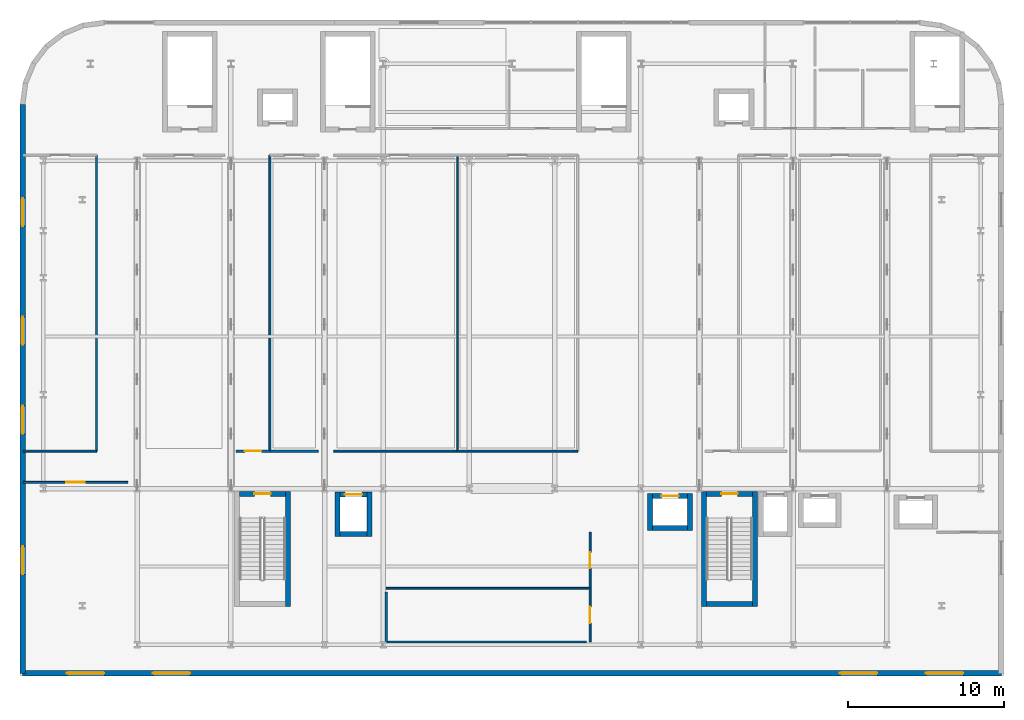
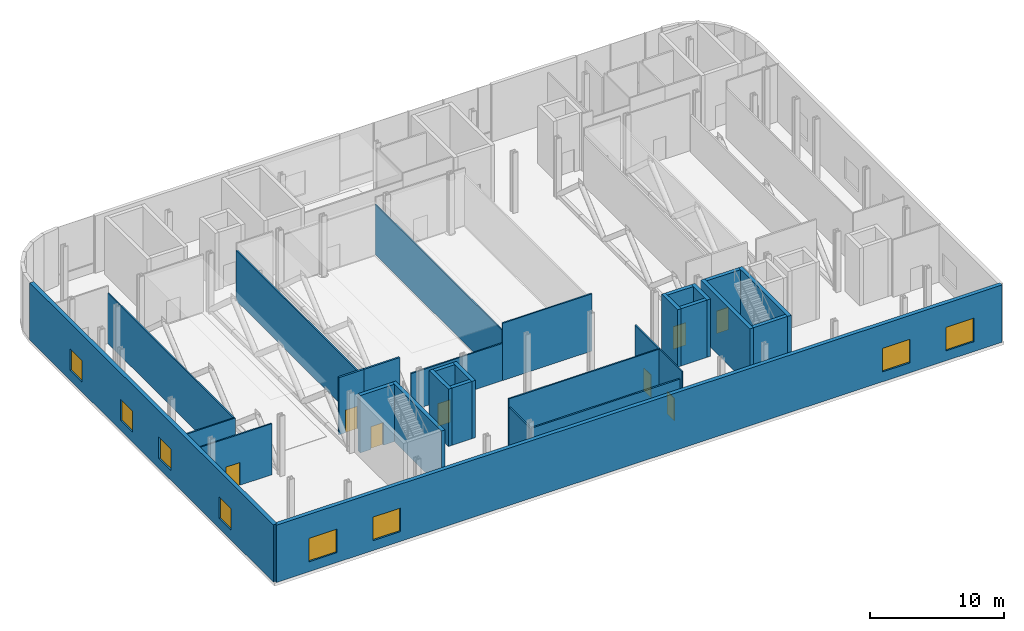
# One storey, part 11 of 17: 30 walls, 8 doors, 8 windows, 16 openings.
"""IFC4 building model written with IfcOpenShell, lengths in metres."""

from ifc_helpers import new_model, si_unit, direction, frame, frame_2d, origin, place, context, subcontext, project, spatial, rectangle, extrude, material, layer, layer_set, type_object, element, fill, save


model = new_model("IFC4")

# Units and contexts
model_context = context("Model", 3, precision=1e-05, world=origin(), true_north=direction((0.0, 1.0)))
body_context = subcontext(model_context, "Body", "Model", "MODEL_VIEW")
ifc_project = project(units=[si_unit("LENGTHUNIT", "METRE"), si_unit("AREAUNIT", "SQUARE_METRE"), si_unit("VOLUMEUNIT", "CUBIC_METRE"), si_unit("PLANEANGLEUNIT", "RADIAN"), si_unit("MASSUNIT", "GRAM", prefix="KILO")], contexts=[model_context])

# Site, building, storey
site_placement = place(None, origin())
site = spatial("IfcSite", under=ifc_project, at=site_placement, CompositionType="ELEMENT")
building_placement = place(site_placement, origin())
building = spatial("IfcBuilding", under=site, at=building_placement, Name="Brevholm Reach", CompositionType="ELEMENT")
storey_placement = place(building_placement, frame((0.0, 0.0, 22.5)))
storey = spatial("IfcBuildingStorey", under=building, at=storey_placement, Name="L05", CompositionType="ELEMENT", Elevation=22.5)

# Wall
ifc_material_1 = material(Name="Concrete C60/75", Category="concrete")
ifc_layer_1 = layer(ifc_material_1, 0.320068359375)
ifc_layer_set_1 = layer_set([ifc_layer_1], Name="Concrete C60/75")
wall_type_1 = type_object("IfcWallType", Name="WAL-COR-320", PredefinedType="SHEAR", material=ifc_layer_set_1)
wall_1_placement = place(storey_placement, frame((15.659912109375, 2.4599609375, 0.0), z_axis=(0.0, 0.0, 1.0), x_axis=(0.0, 1.0, 0.0)))
element("IfcWall", 1, at=wall_1_placement, inside=storey, type_object=wall_type_1, Name="L05 Escape Stair ST-1 Core Wall E", PredefinedType="SHEAR", context=body_context, shape_type="SweptSolid", body=[
    extrude(rectangle(XDim=7.360107421875, YDim=0.320068359375, at=frame_2d((3.68017578125, 0.0))), origin(), (0.0, 0.0, 1.0), 5.22998046875),
])

# Wall, opening, door
wall_2_placement = place(storey_placement, frame((15.5, 9.659912109375, 0.0), z_axis=(0.0, 0.0, 1.0), x_axis=(-1.0, 0.0, 0.0)))
wall_2 = element("IfcWall", 2, at=wall_2_placement, inside=storey, type_object=wall_type_1, Name="L05 Escape Stair ST-1 Core Wall N", PredefinedType="SHEAR", context=body_context, shape_type="SweptSolid", body=[
    extrude(rectangle(XDim=2.949951171875, YDim=0.320068359375, at=frame_2d((1.47509765625, 0.0))), origin(), (0.0, 0.0, 1.0), 5.22998046875),
])
opening_1_placement = place(wall_2_placement, frame((0.949951171875, 0.0, 0.0)))
opening_1 = element("IfcOpeningElement", 3, at=opening_1_placement, cuts=wall_2, Name="Opening SD-ST-1", PredefinedType="OPENING", context=body_context, shape_type="SweptSolid", body=[
    extrude(rectangle(XDim=1.050048828125, YDim=2.06005859375, at=frame_2d((0.52490234375, 1.030029296875))), frame((0.0, 0.169921875, 0.0), z_axis=(0.0, -1.0, 0.0), x_axis=(1.0, 0.0, 0.0)), (0.0, 0.0, 1.0), 0.340087890625),
])
ifc_material_2 = material(Name="Hardwood-Lipped Steel-Core Fire and Smoke Door", Category="steel")
door_type_1 = type_object("IfcDoorType", Name="DOR-INT-FD60S", OperationType="NOTDEFINED", PredefinedType="DOOR", material=ifc_material_2)
door_1_placement = place(opening_1_placement, origin())
door_1 = element("IfcDoor", 4, at=door_1_placement, inside=storey, type_object=door_type_1, Name="L05 Protected Stair ST-1 Lobby Door", OperationType="SINGLE_SWING_LEFT", OverallHeight=2.06005859375, OverallWidth=1.050048828125, PredefinedType="DOOR", context=body_context, shape_type="SweptSolid", body=[
    extrude(rectangle(XDim=1.050048828125, YDim=2.06005859375, at=frame_2d((0.52490234375, 1.030029296875))), frame((0.0, 0.02490234375, 0.0), z_axis=(0.0, -1.0, 0.0), x_axis=(1.0, 0.0, 0.0)), (0.0, 0.0, 1.0), 0.050048828125),
])
fill(opening_1, door_1)

# Walls
for number, where, z_axis, x_axis, name in (
    (5, (42.2900390625, 2.4599609375, 0.0), (0.0, 0.0, 1.0), (0.0, 1.0, 0.0), "L05 Escape Stair ST-2 Core Wall W"),
    (6, (45.56005859375, 2.4599609375, 0.0), (0.0, 0.0, 1.0), (0.0, 1.0, 0.0), "L05 Escape Stair ST-2 Core Wall E"),
):
    element("IfcWall", number, at=place(storey_placement, frame(where, z_axis=z_axis, x_axis=x_axis)), inside=storey, type_object=wall_type_1, Name=name, PredefinedType="SHEAR", context=body_context, shape_type="SweptSolid", body=[
        extrude(rectangle(XDim=7.360107421875, YDim=0.320068359375, at=frame_2d((3.68017578125, 0.0))), origin(), (0.0, 0.0, 1.0), 5.22998046875),
    ])
wall_3_placement = place(storey_placement, frame((42.449951171875, 2.6201171875, 0.0), z_axis=(0.0, 0.0, 1.0), x_axis=(1.0, 0.0, 0.0)))
element("IfcWall", 7, at=wall_3_placement, inside=storey, type_object=wall_type_1, Name="L05 Escape Stair ST-2 Core Wall S", PredefinedType="SHEAR", context=body_context, shape_type="SweptSolid", body=[
    extrude(rectangle(XDim=2.949951171875, YDim=0.320068359375, at=frame_2d((1.47509765625, 0.0))), origin(), (0.0, 0.0, 1.0), 5.22998046875),
])

# Wall, opening, door
wall_4_placement = place(storey_placement, frame((45.39990234375, 9.659912109375, 0.0), z_axis=(0.0, 0.0, 1.0), x_axis=(-1.0, 0.0, 0.0)))
wall_4 = element("IfcWall", 8, at=wall_4_placement, inside=storey, type_object=wall_type_1, Name="L05 Escape Stair ST-2 Core Wall N", PredefinedType="SHEAR", context=body_context, shape_type="SweptSolid", body=[
    extrude(rectangle(XDim=2.949951171875, YDim=0.320068359375, at=frame_2d((1.47509765625, 0.0))), origin(), (0.0, 0.0, 1.0), 5.22998046875),
])
opening_2_placement = place(wall_4_placement, frame((0.949951171875, 0.0, 0.0)))
opening_2 = element("IfcOpeningElement", 9, at=opening_2_placement, cuts=wall_4, Name="Opening SD-ST-2", PredefinedType="OPENING", context=body_context, shape_type="SweptSolid", body=[
    extrude(rectangle(XDim=1.050048828125, YDim=2.06005859375, at=frame_2d((0.52490234375, 1.030029296875))), frame((0.0, 0.169921875, 0.0), z_axis=(0.0, -1.0, 0.0), x_axis=(1.0, 0.0, 0.0)), (0.0, 0.0, 1.0), 0.340087890625),
])
door_2_placement = place(opening_2_placement, origin())
door_2 = element("IfcDoor", 10, at=door_2_placement, inside=storey, type_object=door_type_1, Name="L05 Protected Stair ST-2 Lobby Door", OperationType="SINGLE_SWING_RIGHT", OverallHeight=2.06005859375, OverallWidth=1.050048828125, PredefinedType="DOOR", context=body_context, shape_type="SweptSolid", body=[
    extrude(rectangle(XDim=1.050048828125, YDim=2.06005859375, at=frame_2d((0.52490234375, 1.030029296875))), frame((0.0, 0.02490234375, 0.0), z_axis=(0.0, -1.0, 0.0), x_axis=(1.0, 0.0, 0.0)), (0.0, 0.0, 1.0), 0.050048828125),
])
fill(opening_2, door_2)

# Walls
for number, where, z_axis, x_axis, name in (
    (11, (18.830078125, 6.919921875, 0.0), (0.0, 0.0, 1.0), (0.0, 1.0, 0.0), "L05 Lift FFL-1 Shaft Wall W"),
    (12, (20.8701171875, 6.919921875, 0.0), (0.0, 0.0, 1.0), (0.0, 1.0, 0.0), "L05 Lift FFL-1 Shaft Wall E"),
):
    element("IfcWall", number, at=place(storey_placement, frame(where, z_axis=z_axis, x_axis=x_axis)), inside=storey, type_object=wall_type_1, Name=name, PredefinedType="SHEAR", context=body_context, shape_type="SweptSolid", body=[
        extrude(rectangle(XDim=2.860107421875, YDim=0.320068359375, at=frame_2d((1.43017578125, 0.0))), origin(), (0.0, 0.0, 1.0), 5.22998046875),
    ])
wall_5_placement = place(storey_placement, frame((18.989990234375, 7.080078125, 0.0), z_axis=(0.0, 0.0, 1.0), x_axis=(1.0, 0.0, 0.0)))
element("IfcWall", 13, at=wall_5_placement, inside=storey, type_object=wall_type_1, Name="L05 Lift FFL-1 Shaft Wall S", PredefinedType="SHEAR", context=body_context, shape_type="SweptSolid", body=[
    extrude(rectangle(XDim=1.719970703125, YDim=0.320068359375, at=frame_2d((0.85986328125, 0.0))), origin(), (0.0, 0.0, 1.0), 5.22998046875),
])

# Wall, opening, door
wall_6_placement = place(storey_placement, frame((18.989990234375, 9.6201171875, 0.0), z_axis=(0.0, 0.0, 1.0), x_axis=(1.0, 0.0, 0.0)))
wall_6 = element("IfcWall", 14, at=wall_6_placement, inside=storey, type_object=wall_type_1, Name="L05 Lift FFL-1 Shaft Wall N", PredefinedType="SHEAR", context=body_context, shape_type="SweptSolid", body=[
    extrude(rectangle(XDim=1.719970703125, YDim=0.320068359375, at=frame_2d((0.85986328125, 0.0))), origin(), (0.0, 0.0, 1.0), 5.22998046875),
])
opening_3_placement = place(wall_6_placement, frame((0.31005859375, 0.0, 0.0)))
opening_3 = element("IfcOpeningElement", 15, at=opening_3_placement, cuts=wall_6, Name="Opening LD-FFL-1", PredefinedType="OPENING", context=body_context, shape_type="SweptSolid", body=[
    extrude(rectangle(XDim=1.10009765625, YDim=2.06005859375, at=frame_2d((0.550048828125, 1.030029296875))), frame((0.0, 0.169921875, 0.0), z_axis=(0.0, -1.0, 0.0), x_axis=(1.0, 0.0, 0.0)), (0.0, 0.0, 1.0), 0.340087890625),
])
ifc_material_3 = material(Name="Brushed Stainless Steel Fire-Rated Sliding Lift Door", Category="steel")
door_type_2 = type_object("IfcDoorType", Name="DOR-LFT-1100", OperationType="NOTDEFINED", PredefinedType="DOOR", material=ifc_material_3)
door_3_placement = place(opening_3_placement, origin())
door_3 = element("IfcDoor", 16, at=door_3_placement, inside=storey, type_object=door_type_2, Name="L05 Lift FFL-1 Sliding Landing Door", OperationType="SLIDING_TO_LEFT", OverallHeight=2.06005859375, OverallWidth=1.10009765625, PredefinedType="DOOR", context=body_context, shape_type="SweptSolid", body=[
    extrude(rectangle(XDim=1.10009765625, YDim=2.06005859375, at=frame_2d((0.550048828125, 1.030029296875))), frame((0.0, 0.02490234375, 0.0), z_axis=(0.0, -1.0, 0.0), x_axis=(1.0, 0.0, 0.0)), (0.0, 0.0, 1.0), 0.050048828125),
])
fill(opening_3, door_3)

# Walls
for number, where, z_axis, x_axis, name in (
    (17, (38.85009765625, 7.320068359375, 0.0), (0.0, 0.0, 1.0), (0.0, 1.0, 0.0), "L05 Lift PL-S1 Shaft Wall W"),
    (18, (41.389892578125, 7.320068359375, 0.0), (0.0, 0.0, 1.0), (0.0, 1.0, 0.0), "L05 Lift PL-S1 Shaft Wall E"),
):
    element("IfcWall", number, at=place(storey_placement, frame(where, z_axis=z_axis, x_axis=x_axis)), inside=storey, type_object=wall_type_1, Name=name, PredefinedType="SHEAR", context=body_context, shape_type="SweptSolid", body=[
        extrude(rectangle(XDim=2.35986328125, YDim=0.320068359375, at=frame_2d((1.179931640625, 0.0))), origin(), (0.0, 0.0, 1.0), 5.22998046875),
    ])
wall_7_placement = place(storey_placement, frame((39.010009765625, 7.47998046875, 0.0), z_axis=(0.0, 0.0, 1.0), x_axis=(1.0, 0.0, 0.0)))
element("IfcWall", 19, at=wall_7_placement, inside=storey, type_object=wall_type_1, Name="L05 Lift PL-S1 Shaft Wall S", PredefinedType="SHEAR", context=body_context, shape_type="SweptSolid", body=[
    extrude(rectangle(XDim=2.219970703125, YDim=0.320068359375, at=frame_2d((1.10986328125, 0.0))), origin(), (0.0, 0.0, 1.0), 5.22998046875),
])

# Wall, opening, door
wall_8_placement = place(storey_placement, frame((39.010009765625, 9.52001953125, 0.0), z_axis=(0.0, 0.0, 1.0), x_axis=(1.0, 0.0, 0.0)))
wall_8 = element("IfcWall", 20, at=wall_8_placement, inside=storey, type_object=wall_type_1, Name="L05 Lift PL-S1 Shaft Wall N", PredefinedType="SHEAR", context=body_context, shape_type="SweptSolid", body=[
    extrude(rectangle(XDim=2.219970703125, YDim=0.320068359375, at=frame_2d((1.10986328125, 0.0))), origin(), (0.0, 0.0, 1.0), 5.22998046875),
])
opening_4_placement = place(wall_8_placement, frame((0.56005859375, 0.0, 0.0)))
opening_4 = element("IfcOpeningElement", 21, at=opening_4_placement, cuts=wall_8, Name="Opening LD-PL-S1", PredefinedType="OPENING", context=body_context, shape_type="SweptSolid", body=[
    extrude(rectangle(XDim=1.10009765625, YDim=2.06005859375, at=frame_2d((0.550048828125, 1.030029296875))), frame((0.0, 0.169921875, 0.0), z_axis=(0.0, -1.0, 0.0), x_axis=(1.0, 0.0, 0.0)), (0.0, 0.0, 1.0), 0.340087890625),
])
door_4_placement = place(opening_4_placement, origin())
door_4 = element("IfcDoor", 22, at=door_4_placement, inside=storey, type_object=door_type_2, Name="L05 Lift PL-S1 Sliding Landing Door", OperationType="SLIDING_TO_LEFT", OverallHeight=2.06005859375, OverallWidth=1.10009765625, PredefinedType="DOOR", context=body_context, shape_type="SweptSolid", body=[
    extrude(rectangle(XDim=1.10009765625, YDim=2.06005859375, at=frame_2d((0.550048828125, 1.030029296875))), frame((0.0, 0.02490234375, 0.0), z_axis=(0.0, -1.0, 0.0), x_axis=(1.0, 0.0, 0.0)), (0.0, 0.0, 1.0), 0.050048828125),
])
fill(opening_4, door_4)

# Wall, openings, windows
ifc_material_4 = material(Name="Concrete C40/50", Category="concrete")
ifc_layer_2 = layer(ifc_material_4, 0.340087890625)
ifc_layer_set_2 = layer_set([ifc_layer_2], Name="Concrete C40/50")
wall_type_2 = type_object("IfcWallType", Name="WAL-EXT-340", PredefinedType="STANDARD", material=ifc_layer_set_2)
wall_9_placement = place(storey_placement, frame((-1.330078125, -1.830078125, 0.0), z_axis=(0.0, 0.0, 1.0), x_axis=(1.0, 0.0, 0.0)))
wall_9 = element("IfcWall", 23, at=wall_9_placement, inside=storey, type_object=wall_type_2, Name="L05 Facade Wall WAL-L05-S", PredefinedType="STANDARD", context=body_context, shape_type="SweptSolid", body=[
    extrude(rectangle(XDim=62.66015625, YDim=0.340087890625, at=frame_2d((31.330078125, 0.0))), origin(), (0.0, 0.0, 1.0), 5.22998046875),
])
opening_5_placement = place(wall_9_placement, frame((2.830078125, 0.0, 0.89990234375)))
opening_5 = element("IfcOpeningElement", 24, at=opening_5_placement, cuts=wall_9, Name="Opening WN-03", PredefinedType="OPENING", context=body_context, shape_type="SweptSolid", body=[
    extrude(rectangle(XDim=2.39990234375, YDim=2.14990234375, at=frame_2d((1.199951171875, 1.074951171875))), frame((0.0, 0.179931640625, 0.0), z_axis=(0.0, -1.0, 0.0), x_axis=(1.0, 0.0, 0.0)), (0.0, 0.0, 1.0), 0.360107421875),
])
opening_6_placement = place(wall_9_placement, frame((8.330078125, 0.0, 0.89990234375)))
opening_6 = element("IfcOpeningElement", 25, at=opening_6_placement, cuts=wall_9, Name="Opening WN-03", PredefinedType="OPENING", context=body_context, shape_type="SweptSolid", body=[
    extrude(rectangle(XDim=2.39990234375, YDim=2.14990234375, at=frame_2d((1.199951171875, 1.074951171875))), frame((0.0, 0.179931640625, 0.0), z_axis=(0.0, -1.0, 0.0), x_axis=(1.0, 0.0, 0.0)), (0.0, 0.0, 1.0), 0.360107421875),
])
opening_7_placement = place(wall_9_placement, frame((52.330078125, 0.0, 0.89990234375)))
opening_7 = element("IfcOpeningElement", 26, at=opening_7_placement, cuts=wall_9, Name="Opening WN-03", PredefinedType="OPENING", context=body_context, shape_type="SweptSolid", body=[
    extrude(rectangle(XDim=2.39990234375, YDim=2.14990234375, at=frame_2d((1.199951171875, 1.074951171875))), frame((0.0, 0.179931640625, 0.0), z_axis=(0.0, -1.0, 0.0), x_axis=(1.0, 0.0, 0.0)), (0.0, 0.0, 1.0), 0.360107421875),
])
opening_8_placement = place(wall_9_placement, frame((57.830078125, 0.0, 0.89990234375)))
opening_8 = element("IfcOpeningElement", 27, at=opening_8_placement, cuts=wall_9, Name="Opening WN-03", PredefinedType="OPENING", context=body_context, shape_type="SweptSolid", body=[
    extrude(rectangle(XDim=2.39990234375, YDim=2.14990234375, at=frame_2d((1.199951171875, 1.074951171875))), frame((0.0, 0.179931640625, 0.0), z_axis=(0.0, -1.0, 0.0), x_axis=(1.0, 0.0, 0.0)), (0.0, 0.0, 1.0), 0.360107421875),
])
ifc_material_5 = material(Name="Dark Anodised Aluminium and Solar-Control IGU Glass", Category="aluminium")
window_type_1 = type_object("IfcWindowType", Name="WIN-SCH-2400", PartitioningType="SINGLE_PANEL", PredefinedType="WINDOW", material=ifc_material_5)
window_1_placement = place(opening_5_placement, origin())
window_1 = element("IfcWindow", 28, at=window_1_placement, inside=storey, type_object=window_type_1, Name="L05 Window WIN-L05-S-1", OverallHeight=2.14990234375, OverallWidth=2.39990234375, PartitioningType="SINGLE_PANEL", PredefinedType="WINDOW", context=body_context, shape_type="SweptSolid", body=[
    extrude(rectangle(XDim=2.39990234375, YDim=2.14990234375, at=frame_2d((1.199951171875, 1.074951171875))), frame((0.0, 0.030029296875, 0.0), z_axis=(0.0, -1.0, 0.0), x_axis=(1.0, 0.0, 0.0)), (0.0, 0.0, 1.0), 0.06005859375),
])
fill(opening_5, window_1)
window_2_placement = place(opening_6_placement, origin())
window_2 = element("IfcWindow", 29, at=window_2_placement, inside=storey, type_object=window_type_1, Name="L05 Window WIN-L05-S-2", OverallHeight=2.14990234375, OverallWidth=2.39990234375, PartitioningType="SINGLE_PANEL", PredefinedType="WINDOW", context=body_context, shape_type="SweptSolid", body=[
    extrude(rectangle(XDim=2.39990234375, YDim=2.14990234375, at=frame_2d((1.199951171875, 1.074951171875))), frame((0.0, 0.030029296875, 0.0), z_axis=(0.0, -1.0, 0.0), x_axis=(1.0, 0.0, 0.0)), (0.0, 0.0, 1.0), 0.06005859375),
])
fill(opening_6, window_2)
window_3_placement = place(opening_7_placement, origin())
window_3 = element("IfcWindow", 30, at=window_3_placement, inside=storey, type_object=window_type_1, Name="L05 Window WIN-L05-S-3", OverallHeight=2.14990234375, OverallWidth=2.39990234375, PartitioningType="SINGLE_PANEL", PredefinedType="WINDOW", context=body_context, shape_type="SweptSolid", body=[
    extrude(rectangle(XDim=2.39990234375, YDim=2.14990234375, at=frame_2d((1.199951171875, 1.074951171875))), frame((0.0, 0.030029296875, 0.0), z_axis=(0.0, -1.0, 0.0), x_axis=(1.0, 0.0, 0.0)), (0.0, 0.0, 1.0), 0.06005859375),
])
fill(opening_7, window_3)
window_4_placement = place(opening_8_placement, origin())
window_4 = element("IfcWindow", 31, at=window_4_placement, inside=storey, type_object=window_type_1, Name="L05 Window WIN-L05-S-4", OverallHeight=2.14990234375, OverallWidth=2.39990234375, PartitioningType="SINGLE_PANEL", PredefinedType="WINDOW", context=body_context, shape_type="SweptSolid", body=[
    extrude(rectangle(XDim=2.39990234375, YDim=2.14990234375, at=frame_2d((1.199951171875, 1.074951171875))), frame((0.0, 0.030029296875, 0.0), z_axis=(0.0, -1.0, 0.0), x_axis=(1.0, 0.0, 0.0)), (0.0, 0.0, 1.0), 0.06005859375),
])
fill(opening_8, window_4)

wall_10_placement = place(storey_placement, frame((-1.330078125, 34.60009765625, 0.0), z_axis=(0.0, 0.0, 1.0), x_axis=(0.0, -1.0, 0.0)))
wall_10 = element("IfcWall", 32, at=wall_10_placement, inside=storey, type_object=wall_type_2, Name="L05 Facade Wall WAL-L05-W", PredefinedType="STANDARD", context=body_context, shape_type="SweptSolid", body=[
    extrude(rectangle(XDim=36.43017578125, YDim=0.340087890625, at=frame_2d((18.215087890625, 0.0))), origin(), (0.0, 0.0, 1.0), 5.22998046875),
])
opening_9_placement = place(wall_10_placement, frame((28.300048828125, 0.0, 0.89990234375)))
opening_9 = element("IfcOpeningElement", 33, at=opening_9_placement, cuts=wall_10, Name="Opening WN-01", PredefinedType="OPENING", context=body_context, shape_type="SweptSolid", body=[
    extrude(rectangle(XDim=1.800048828125, YDim=1.949951171875, at=frame_2d((0.89990234375, 0.97509765625))), frame((0.0, 0.179931640625, 0.0), z_axis=(0.0, -1.0, 0.0), x_axis=(1.0, 0.0, 0.0)), (0.0, 0.0, 1.0), 0.360107421875),
])
opening_10_placement = place(wall_10_placement, frame((19.300048828125, 0.0, 0.89990234375)))
opening_10 = element("IfcOpeningElement", 34, at=opening_10_placement, cuts=wall_10, Name="Opening WN-01", PredefinedType="OPENING", context=body_context, shape_type="SweptSolid", body=[
    extrude(rectangle(XDim=1.800048828125, YDim=1.949951171875, at=frame_2d((0.89990234375, 0.97509765625))), frame((0.0, 0.179931640625, 0.0), z_axis=(0.0, -1.0, 0.0), x_axis=(1.0, 0.0, 0.0)), (0.0, 0.0, 1.0), 0.360107421875),
])
opening_11_placement = place(wall_10_placement, frame((13.60009765625, 0.0, 0.89990234375)))
opening_11 = element("IfcOpeningElement", 35, at=opening_11_placement, cuts=wall_10, Name="Opening WN-01", PredefinedType="OPENING", context=body_context, shape_type="SweptSolid", body=[
    extrude(rectangle(XDim=1.800048828125, YDim=1.949951171875, at=frame_2d((0.89990234375, 0.97509765625))), frame((0.0, 0.179931640625, 0.0), z_axis=(0.0, -1.0, 0.0), x_axis=(1.0, 0.0, 0.0)), (0.0, 0.0, 1.0), 0.360107421875),
])
opening_12_placement = place(wall_10_placement, frame((6.0, 0.0, 0.89990234375)))
opening_12 = element("IfcOpeningElement", 36, at=opening_12_placement, cuts=wall_10, Name="Opening WN-01", PredefinedType="OPENING", context=body_context, shape_type="SweptSolid", body=[
    extrude(rectangle(XDim=1.800048828125, YDim=1.949951171875, at=frame_2d((0.89990234375, 0.97509765625))), frame((0.0, 0.179931640625, 0.0), z_axis=(0.0, -1.0, 0.0), x_axis=(1.0, 0.0, 0.0)), (0.0, 0.0, 1.0), 0.360107421875),
])
ifc_material_6 = material(Name="Dark Anodised Aluminium and Solar-Control IGU Glass", Category="aluminium")
window_type_2 = type_object("IfcWindowType", Name="WIN-SCH-1800", PartitioningType="SINGLE_PANEL", PredefinedType="WINDOW", material=ifc_material_6)
window_5_placement = place(opening_9_placement, origin())
window_5 = element("IfcWindow", 37, at=window_5_placement, inside=storey, type_object=window_type_2, Name="L05 Window WIN-L05-W-1", OverallHeight=1.949951171875, OverallWidth=1.800048828125, PartitioningType="SINGLE_PANEL", PredefinedType="WINDOW", context=body_context, shape_type="SweptSolid", body=[
    extrude(rectangle(XDim=1.800048828125, YDim=1.949951171875, at=frame_2d((0.89990234375, 0.97509765625))), frame((0.0, 0.030029296875, 0.0), z_axis=(0.0, -1.0, 0.0), x_axis=(1.0, 0.0, 0.0)), (0.0, 0.0, 1.0), 0.06005859375),
])
fill(opening_9, window_5)
window_6_placement = place(opening_10_placement, origin())
window_6 = element("IfcWindow", 38, at=window_6_placement, inside=storey, type_object=window_type_2, Name="L05 Window WIN-L05-W-2", OverallHeight=1.949951171875, OverallWidth=1.800048828125, PartitioningType="SINGLE_PANEL", PredefinedType="WINDOW", context=body_context, shape_type="SweptSolid", body=[
    extrude(rectangle(XDim=1.800048828125, YDim=1.949951171875, at=frame_2d((0.89990234375, 0.97509765625))), frame((0.0, 0.030029296875, 0.0), z_axis=(0.0, -1.0, 0.0), x_axis=(1.0, 0.0, 0.0)), (0.0, 0.0, 1.0), 0.06005859375),
])
fill(opening_10, window_6)
window_7_placement = place(opening_11_placement, origin())
window_7 = element("IfcWindow", 39, at=window_7_placement, inside=storey, type_object=window_type_2, Name="L05 Window WIN-L05-W-3", OverallHeight=1.949951171875, OverallWidth=1.800048828125, PartitioningType="SINGLE_PANEL", PredefinedType="WINDOW", context=body_context, shape_type="SweptSolid", body=[
    extrude(rectangle(XDim=1.800048828125, YDim=1.949951171875, at=frame_2d((0.89990234375, 0.97509765625))), frame((0.0, 0.030029296875, 0.0), z_axis=(0.0, -1.0, 0.0), x_axis=(1.0, 0.0, 0.0)), (0.0, 0.0, 1.0), 0.06005859375),
])
fill(opening_11, window_7)
window_8_placement = place(opening_12_placement, origin())
window_8 = element("IfcWindow", 40, at=window_8_placement, inside=storey, type_object=window_type_2, Name="L05 Window WIN-L05-W-4", OverallHeight=1.949951171875, OverallWidth=1.800048828125, PartitioningType="SINGLE_PANEL", PredefinedType="WINDOW", context=body_context, shape_type="SweptSolid", body=[
    extrude(rectangle(XDim=1.800048828125, YDim=1.949951171875, at=frame_2d((0.89990234375, 0.97509765625))), frame((0.0, 0.030029296875, 0.0), z_axis=(0.0, -1.0, 0.0), x_axis=(1.0, 0.0, 0.0)), (0.0, 0.0, 1.0), 0.06005859375),
])
fill(opening_12, window_8)

# Wall
ifc_material_7 = material(Name="Moisture-Resistant Acoustic Gypsum Stud Partition 100 mm", Category="gypsum")
ifc_layer_3 = layer(ifc_material_7, 0.10009765625)
ifc_layer_set_3 = layer_set([ifc_layer_3], Name="Moisture-Resistant Acoustic Gypsum Stud Partition 100 mm")
wall_type_3 = type_object("IfcWallType", Name="WAL-PRT-100", PredefinedType="PARTITIONING", material=ifc_layer_set_3)
wall_11_placement = place(storey_placement, frame((26.5, 12.404052734375, 0.0), z_axis=(0.0, 0.0, 1.0), x_axis=(0.0, 1.0, 0.0)))
element("IfcWall", 41, at=wall_11_placement, inside=storey, type_object=wall_type_3, Name="L05 Internal Partition 035", PredefinedType="PARTITIONING", context=body_context, shape_type="SweptSolid", body=[
    extrude(rectangle(XDim=18.94189453125, YDim=0.10009765625, at=frame_2d((9.470947265625, 0.0))), origin(), (0.0, 0.0, 1.0), 4.584716796875),
])

# Wall, opening, door
ifc_material_8 = material(Name="Acoustic Fire-Rated Classroom Gypsum Partition 120 mm", Category="gypsum")
ifc_layer_4 = layer(ifc_material_8, 0.1201171875)
ifc_layer_set_4 = layer_set([ifc_layer_4], Name="Acoustic Fire-Rated Classroom Gypsum Partition 120 mm")
wall_type_4 = type_object("IfcWallType", Name="WAL-PRT-120", PredefinedType="PARTITIONING", material=ifc_layer_set_4)
wall_12_placement = place(storey_placement, frame((35.0, 0.179931640625, 0.0), z_axis=(0.0, 0.0, 1.0), x_axis=(0.0, 1.0, 0.0)))
wall_12 = element("IfcWall", 42, at=wall_12_placement, inside=storey, type_object=wall_type_4, Name="L05 Internal Partition 001", PredefinedType="PARTITIONING", context=body_context, shape_type="SweptSolid", body=[
    extrude(rectangle(XDim=3.451416015625, YDim=0.1201171875, at=frame_2d((1.7255859375, 0.0))), origin(), (0.0, 0.0, 1.0), 5.22998046875),
])
opening_13_placement = place(wall_12_placement, frame((1.20068359375, 0.0, 0.0)))
opening_13 = element("IfcOpeningElement", 43, at=opening_13_placement, cuts=wall_12, Name="Opening FD-01", PredefinedType="OPENING", context=body_context, shape_type="SweptSolid", body=[
    extrude(rectangle(XDim=1.050048828125, YDim=2.06005859375, at=frame_2d((0.52490234375, 1.030029296875))), frame((0.0, 0.070068359375, 0.0), z_axis=(0.0, -1.0, 0.0), x_axis=(1.0, 0.0, 0.0)), (0.0, 0.0, 1.0), 0.14013671875),
])
door_5_placement = place(opening_13_placement, origin())
door_5 = element("IfcDoor", 44, at=door_5_placement, inside=storey, type_object=door_type_1, Name="L05 Internal Door 001", OperationType="SINGLE_SWING_LEFT", OverallHeight=2.06005859375, OverallWidth=1.050048828125, PredefinedType="DOOR", context=body_context, shape_type="SweptSolid", body=[
    extrude(rectangle(XDim=1.050048828125, YDim=2.06005859375, at=frame_2d((0.52490234375, 1.030029296875))), frame((0.0, 0.02490234375, 0.0), z_axis=(0.0, -1.0, 0.0), x_axis=(1.0, 0.0, 0.0)), (0.0, 0.0, 1.0), 0.050048828125),
])
fill(opening_13, door_5)

wall_13_placement = place(storey_placement, frame((35.0, 3.61279296875, 0.0), z_axis=(0.0, 0.0, 1.0), x_axis=(0.0, 1.0, 0.0)))
wall_13 = element("IfcWall", 45, at=wall_13_placement, inside=storey, type_object=wall_type_4, Name="L05 Internal Partition 002", PredefinedType="PARTITIONING", context=body_context, shape_type="SweptSolid", body=[
    extrude(rectangle(XDim=3.598388671875, YDim=0.1201171875, at=frame_2d((1.79931640625, 0.0))), origin(), (0.0, 0.0, 1.0), 5.22998046875),
])
opening_14_placement = place(wall_13_placement, frame((1.2744140625, 0.0, 0.0)))
opening_14 = element("IfcOpeningElement", 46, at=opening_14_placement, cuts=wall_13, Name="Opening FD-01", PredefinedType="OPENING", context=body_context, shape_type="SweptSolid", body=[
    extrude(rectangle(XDim=1.050048828125, YDim=2.06005859375, at=frame_2d((0.52490234375, 1.030029296875))), frame((0.0, 0.070068359375, 0.0), z_axis=(0.0, -1.0, 0.0), x_axis=(1.0, 0.0, 0.0)), (0.0, 0.0, 1.0), 0.14013671875),
])
door_6_placement = place(opening_14_placement, origin())
door_6 = element("IfcDoor", 47, at=door_6_placement, inside=storey, type_object=door_type_1, Name="L05 Internal Door 002", OperationType="SINGLE_SWING_RIGHT", OverallHeight=2.06005859375, OverallWidth=1.050048828125, PredefinedType="DOOR", context=body_context, shape_type="SweptSolid", body=[
    extrude(rectangle(XDim=1.050048828125, YDim=2.06005859375, at=frame_2d((0.52490234375, 1.030029296875))), frame((0.0, 0.02490234375, 0.0), z_axis=(0.0, -1.0, 0.0), x_axis=(1.0, 0.0, 0.0)), (0.0, 0.0, 1.0), 0.050048828125),
])
fill(opening_14, door_6)

# Walls
wall_14_placement = place(storey_placement, frame((21.949951171875, 3.6201171875, 0.0), z_axis=(0.0, 0.0, 1.0), x_axis=(1.0, 0.0, 0.0)))
element("IfcWall", 48, at=wall_14_placement, inside=storey, type_object=wall_type_4, Name="L05 Internal Partition 003", PredefinedType="PARTITIONING", context=body_context, shape_type="SweptSolid", body=[
    extrude(rectangle(XDim=13.046142578125, YDim=0.1201171875, at=frame_2d((6.52294921875, 0.0))), origin(), (0.0, 0.0, 1.0), 5.22998046875),
])
wall_15_placement = place(storey_placement, frame((18.588623046875, 12.39990234375, 0.0), z_axis=(0.0, 0.0, 1.0), x_axis=(1.0, 0.0, 0.0)))
element("IfcWall", 49, at=wall_15_placement, inside=storey, type_object=wall_type_4, Name="L05 Internal Partition 023", PredefinedType="PARTITIONING", context=body_context, shape_type="SweptSolid", body=[
    extrude(rectangle(XDim=7.922607421875, YDim=0.1201171875, at=frame_2d((3.96142578125, 0.0))), origin(), (0.0, 0.0, 1.0), 3.405029296875),
])
wall_16_placement = place(storey_placement, frame((26.49267578125, 12.39990234375, 0.0), z_axis=(0.0, 0.0, 1.0), x_axis=(1.0, 0.0, 0.0)))
element("IfcWall", 50, at=wall_16_placement, inside=storey, type_object=wall_type_4, Name="L05 Internal Partition 024", PredefinedType="PARTITIONING", context=body_context, shape_type="SweptSolid", body=[
    extrude(rectangle(XDim=7.714599609375, YDim=0.1201171875, at=frame_2d((3.857421875, 0.0))), origin(), (0.0, 0.0, 1.0), 5.22998046875),
])
wall_17_placement = place(storey_placement, frame((14.5, 12.404052734375, 0.0), z_axis=(0.0, 0.0, 1.0), x_axis=(0.0, 1.0, 0.0)))
element("IfcWall", 51, at=wall_17_placement, inside=storey, type_object=wall_type_4, Name="L05 Internal Partition 025", PredefinedType="PARTITIONING", context=body_context, shape_type="SweptSolid", body=[
    extrude(rectangle(XDim=18.94189453125, YDim=0.1201171875, at=frame_2d((9.470947265625, 0.0))), origin(), (0.0, 0.0, 1.0), 4.584716796875),
])
wall_18_placement = place(storey_placement, frame((-1.300048828125, 12.39990234375, 0.0), z_axis=(0.0, 0.0, 1.0), x_axis=(1.0, 0.0, 0.0)))
element("IfcWall", 52, at=wall_18_placement, inside=storey, type_object=wall_type_4, Name="L05 Internal Partition 032", PredefinedType="PARTITIONING", context=body_context, shape_type="SweptSolid", body=[
    extrude(rectangle(XDim=4.707275390625, YDim=0.1201171875, at=frame_2d((2.353515625, 0.0))), origin(), (0.0, 0.0, 1.0), 4.66552734375),
])

# Wall, opening, door
wall_19_placement = place(storey_placement, frame((-1.300048828125, 10.39990234375, 0.0), z_axis=(0.0, 0.0, 1.0), x_axis=(1.0, 0.0, 0.0)))
wall_19 = element("IfcWall", 53, at=wall_19_placement, inside=storey, type_object=wall_type_4, Name="L05 Internal Partition 033", PredefinedType="PARTITIONING", context=body_context, shape_type="SweptSolid", body=[
    extrude(rectangle(XDim=6.699951171875, YDim=0.1201171875, at=frame_2d((3.35009765625, 0.0))), origin(), (0.0, 0.0, 1.0), 4.66552734375),
])
opening_15_placement = place(wall_19_placement, frame((2.75, 0.0, 0.0)))
opening_15 = element("IfcOpeningElement", 54, at=opening_15_placement, cuts=wall_19, Name="Opening ID-SC", PredefinedType="OPENING", context=body_context, shape_type="SweptSolid", body=[
    extrude(rectangle(XDim=1.199951171875, YDim=2.080078125, at=frame_2d((0.60009765625, 1.0400390625))), frame((0.0, 0.070068359375, 0.0), z_axis=(0.0, -1.0, 0.0), x_axis=(1.0, 0.0, 0.0)), (0.0, 0.0, 1.0), 0.14013671875),
])
ifc_material_9 = material(Name="Acoustic European Oak Classroom Vision-Panel Fire Door", Category="timber")
door_type_3 = type_object("IfcDoorType", Name="DOR-SCH-1200", OperationType="NOTDEFINED", PredefinedType="DOOR", material=ifc_material_9)
door_7_placement = place(opening_15_placement, origin())
door_7 = element("IfcDoor", 55, at=door_7_placement, inside=storey, type_object=door_type_3, Name="L05 Internal Door 019", OperationType="SINGLE_SWING_LEFT", OverallHeight=2.080078125, OverallWidth=1.199951171875, PredefinedType="DOOR", context=body_context, shape_type="SweptSolid", body=[
    extrude(rectangle(XDim=1.199951171875, YDim=2.080078125, at=frame_2d((0.60009765625, 1.0400390625))), frame((0.0, 0.02490234375, 0.0), z_axis=(0.0, -1.0, 0.0), x_axis=(1.0, 0.0, 0.0)), (0.0, 0.0, 1.0), 0.050048828125),
])
fill(opening_15, door_7)

# Walls
wall_20_placement = place(storey_placement, frame((3.39990234375, 12.404052734375, 0.0), z_axis=(0.0, 0.0, 1.0), x_axis=(0.0, 1.0, 0.0)))
element("IfcWall", 56, at=wall_20_placement, inside=storey, type_object=wall_type_4, Name="L05 Internal Partition 034", PredefinedType="PARTITIONING", context=body_context, shape_type="SweptSolid", body=[
    extrude(rectangle(XDim=18.94189453125, YDim=0.1201171875, at=frame_2d((9.470947265625, 0.0))), origin(), (0.0, 0.0, 1.0), 4.584716796875),
])
ifc_material_10 = material(Name="Twin-Stud Acoustic Fire-Rated Gypsum Partition 140 mm", Category="gypsum")
ifc_layer_5 = layer(ifc_material_10, 0.139892578125)
ifc_layer_set_5 = layer_set([ifc_layer_5], Name="Twin-Stud Acoustic Fire-Rated Gypsum Partition 140 mm")
wall_type_5 = type_object("IfcWallType", Name="WAL-PRT-140", PredefinedType="PARTITIONING", material=ifc_layer_set_5)
wall_21_placement = place(storey_placement, frame((21.949951171875, 0.179931640625, 0.0), z_axis=(0.0, 0.0, 1.0), x_axis=(1.0, 0.0, 0.0)))
element("IfcWall", 57, at=wall_21_placement, inside=storey, type_object=wall_type_5, Name="L05 Internal Partition 039", PredefinedType="PARTITIONING", context=body_context, shape_type="SweptSolid", body=[
    extrude(rectangle(XDim=12.81005859375, YDim=0.139892578125, at=frame_2d((6.405029296875, 0.0))), origin(), (0.0, 0.0, 1.0), 4.66552734375),
])
wall_22_placement = place(storey_placement, frame((21.949951171875, 0.179931640625, 0.0), z_axis=(0.0, 0.0, 1.0), x_axis=(0.0, 1.0, 0.0)))
element("IfcWall", 58, at=wall_22_placement, inside=storey, type_object=wall_type_5, Name="L05 Internal Partition 040", PredefinedType="PARTITIONING", context=body_context, shape_type="SweptSolid", body=[
    extrude(rectangle(XDim=3.199951171875, YDim=0.139892578125, at=frame_2d((1.60009765625, 0.0))), origin(), (0.0, 0.0, 1.0), 4.584716796875),
])

# Wall, opening, door
ifc_material_11 = material(Name="Twin-Frame Fire-Rated Gypsum Board and Mineral Wool 160 mm", Category="gypsum")
ifc_layer_6 = layer(ifc_material_11, 0.159912109375)
ifc_layer_set_6 = layer_set([ifc_layer_6], Name="Twin-Frame Fire-Rated Gypsum Board and Mineral Wool 160 mm")
wall_type_6 = type_object("IfcWallType", Name="WAL-PRT-160", PredefinedType="PARTITIONING", material=ifc_layer_set_6)
wall_23_placement = place(storey_placement, frame((12.338623046875, 12.39990234375, 0.0), z_axis=(0.0, 0.0, 1.0), x_axis=(1.0, 0.0, 0.0)))
wall_23 = element("IfcWall", 59, at=wall_23_placement, inside=storey, type_object=wall_type_6, Name="L05 Internal Partition 004", PredefinedType="PARTITIONING", context=body_context, shape_type="SweptSolid", body=[
    extrude(rectangle(XDim=2.172607421875, YDim=0.159912109375, at=frame_2d((1.08642578125, 0.0))), origin(), (0.0, 0.0, 1.0), 5.22998046875),
])
opening_16_placement = place(wall_23_placement, frame((0.561279296875, 0.0, 0.0)))
opening_16 = element("IfcOpeningElement", 60, at=opening_16_placement, cuts=wall_23, Name="Opening FD-01", PredefinedType="OPENING", context=body_context, shape_type="SweptSolid", body=[
    extrude(rectangle(XDim=1.050048828125, YDim=2.06005859375, at=frame_2d((0.52490234375, 1.030029296875))), frame((0.0, 0.08984375, 0.0), z_axis=(0.0, -1.0, 0.0), x_axis=(1.0, 0.0, 0.0)), (0.0, 0.0, 1.0), 0.179931640625),
])
door_8_placement = place(opening_16_placement, origin())
door_8 = element("IfcDoor", 61, at=door_8_placement, inside=storey, type_object=door_type_1, Name="L05 Internal Door 003", OperationType="SINGLE_SWING_LEFT", OverallHeight=2.06005859375, OverallWidth=1.050048828125, PredefinedType="DOOR", context=body_context, shape_type="SweptSolid", body=[
    extrude(rectangle(XDim=1.050048828125, YDim=2.06005859375, at=frame_2d((0.52490234375, 1.030029296875))), frame((0.0, 0.02490234375, 0.0), z_axis=(0.0, -1.0, 0.0), x_axis=(1.0, 0.0, 0.0)), (0.0, 0.0, 1.0), 0.050048828125),
])
fill(opening_16, door_8)

# Wall
wall_24_placement = place(storey_placement, frame((14.49267578125, 12.39990234375, 0.0), z_axis=(0.0, 0.0, 1.0), x_axis=(1.0, 0.0, 0.0)))
element("IfcWall", 62, at=wall_24_placement, inside=storey, type_object=wall_type_6, Name="L05 Internal Partition 005", PredefinedType="PARTITIONING", context=body_context, shape_type="SweptSolid", body=[
    extrude(rectangle(XDim=3.11865234375, YDim=0.159912109375, at=frame_2d((1.559326171875, 0.0))), origin(), (0.0, 0.0, 1.0), 5.22998046875),
])

save(model, "model.ifc")
